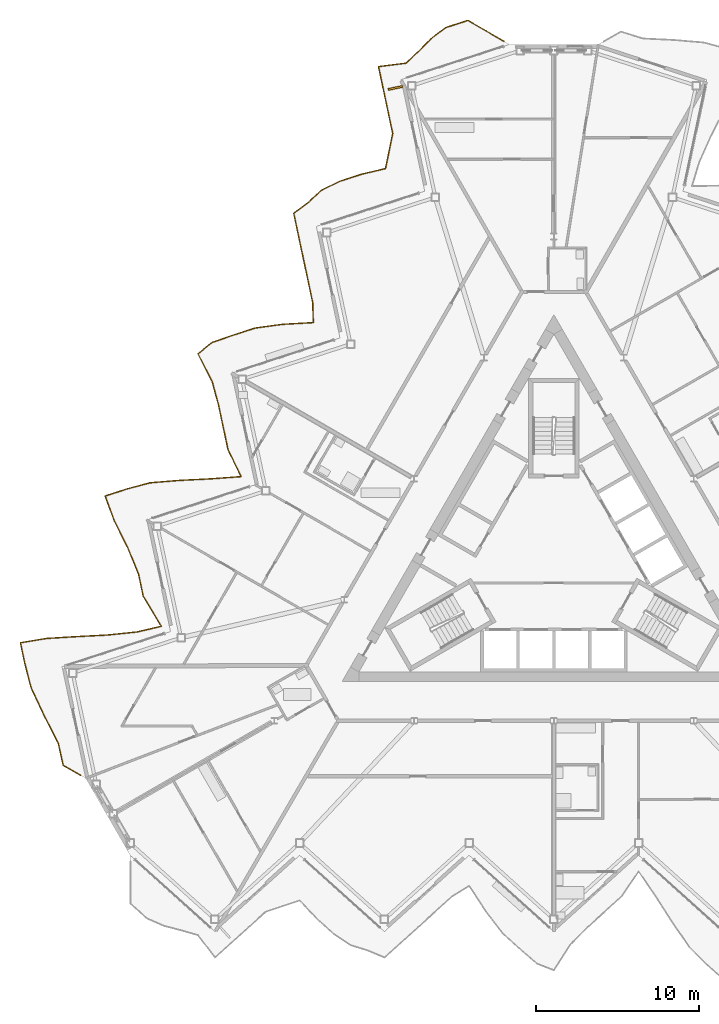
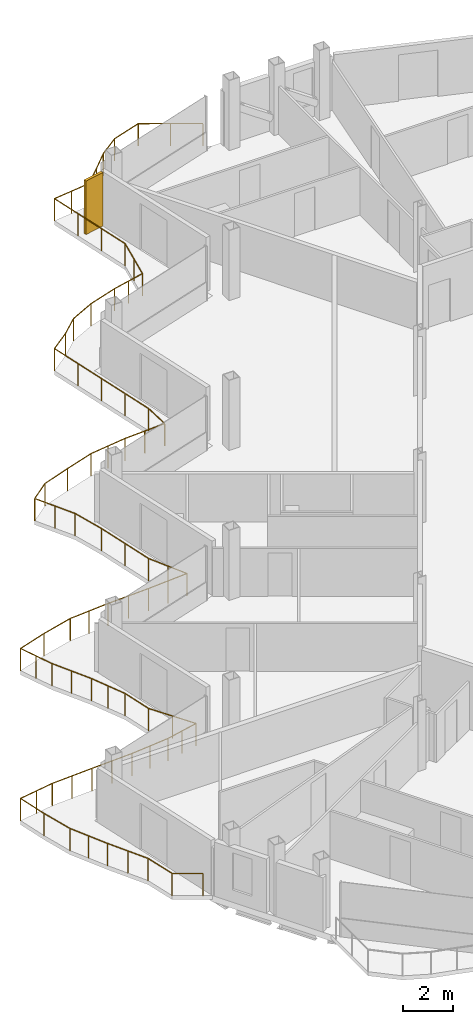
# One storey, part 23 of 26: 1 railing, 1 shading device.
"""IFC4 building model written with IfcOpenShell, lengths in metres."""

from ifc_helpers import new_model, si_unit, direction, frame, origin, origin_2d, place, context, subcontext, project, spatial, rectangle, circle, extrude, material, layer, layer_set, type_object, element, save


model = new_model("IFC4")

# Units and contexts
model_context = context("Model", 3, precision=1e-05, world=origin(), true_north=direction((0.0, 1.0)))
body_context = subcontext(model_context, "Body", "Model", "MODEL_VIEW")
ifc_project = project(units=[si_unit("LENGTHUNIT", "METRE"), si_unit("AREAUNIT", "SQUARE_METRE"), si_unit("VOLUMEUNIT", "CUBIC_METRE"), si_unit("PLANEANGLEUNIT", "RADIAN"), si_unit("MASSUNIT", "GRAM", prefix="KILO")], contexts=[model_context])

# Site, building, storey
site_placement = place(None, origin())
site = spatial("IfcSite", under=ifc_project, at=site_placement, CompositionType="ELEMENT")
building_placement = place(site_placement, origin())
building = spatial("IfcBuilding", under=site, at=building_placement, Name="Cormorant Prow Tower", CompositionType="ELEMENT")
storey_placement = place(building_placement, frame((0.0, 0.0, 367.800048828125)))
storey = spatial("IfcBuildingStorey", under=building, at=storey_placement, Name="L82", CompositionType="ELEMENT", Elevation=367.800048828125)

# Railing
ifc_material_1 = material(Name="Aluminium 6063-T6", Category="aluminium")
railing_type = type_object("IfcRailingType", Name="Balcony guard 1100", PredefinedType="GUARDRAIL", material=ifc_material_1)
railing_placement = place(storey_placement, frame((-3.0537109375, 31.785400390625, 0.0)))
element("IfcRailing", 1, at=railing_placement, inside=storey, type_object=railing_type, Name="Balcony guard WNW", PredefinedType="GUARDRAIL", context=body_context, shape_type="SweptSolid", body=[
    extrude(circle(Radius=0.02392578125, at=origin_2d()), frame((0.0, 0.0, 1.076171875), z_axis=(-0.866054294558, 0.499949956374, 0.0), x_axis=(-0.499949956374, -0.866054294558, 0.0)), (0.0, 0.0, 1.0), 2.570068359375),
    extrude(circle(Radius=0.02392578125, at=origin_2d()), frame((-2.225830078125, 1.284912109375, 1.076171875), z_axis=(-0.951080208938, -0.308944066403, 0.0), x_axis=(0.308944066403, -0.951080208938, 0.0)), (0.0, 0.0, 1.0), 1.3994140625),
    extrude(circle(Radius=0.02392578125, at=origin_2d()), frame((-3.556884765625, 0.8525390625, 1.076171875), z_axis=(-0.804801624168, -0.59354388695, 0.0), x_axis=(0.59354388695, -0.804801624168, 0.0)), (0.0, 0.0, 1.0), 1.134765625),
    extrude(circle(Radius=0.02392578125, at=origin_2d()), frame((-4.47021484375, 0.178955078125, 1.076171875), z_axis=(-0.702320726379, -0.711860658626, 0.0), x_axis=(0.711860658626, -0.702320726379, 0.0)), (0.0, 0.0, 1.0), 1.074951171875),
    extrude(circle(Radius=0.02392578125, at=origin_2d()), frame((-5.22509765625, -0.586181640625, 1.076171875), z_axis=(-0.720399511694, -0.693559329511, 0.0), x_axis=(0.693559329511, -0.720399511694, 0.0)), (0.0, 0.0, 1.0), 1.08251953125),
    extrude(circle(Radius=0.02392578125, at=origin_2d()), frame((-6.0048828125, -1.3369140625, 1.076171875), z_axis=(-0.99213308719, -0.125187608427, 0.0), x_axis=(0.125187608427, -0.99213308719, 0.0)), (0.0, 0.0, 1.0), 1.719970703125),
    extrude(circle(Radius=0.02392578125, at=origin_2d()), frame((-7.71142578125, -1.55224609375, 1.076171875), z_axis=(0.207944297815, -0.978140669335, 0.0), x_axis=(0.978140669335, 0.207944297815, 0.0)), (0.0, 0.0, 1.0), 1.3994140625),
    extrude(circle(Radius=0.02392578125, at=origin_2d()), frame((-7.42041015625, -2.921142578125, 1.076171875), z_axis=(0.20777738218, -0.978176139279, 0.0), x_axis=(0.978176139279, 0.20777738218, 0.0)), (0.0, 0.0, 1.0), 1.3994140625),
    extrude(circle(Radius=0.02392578125, at=origin_2d()), frame((-7.129638671875, -4.2900390625, 1.076171875), z_axis=(0.207944297815, -0.978140669335, 0.0), x_axis=(0.978140669335, 0.207944297815, 0.0)), (0.0, 0.0, 1.0), 1.3994140625),
    extrude(circle(Radius=0.02392578125, at=origin_2d()), frame((-6.838623046875, -5.658935546875, 1.076171875), z_axis=(-0.200182501189, -0.979758626508, 0.0), x_axis=(0.979758626508, -0.200182501189, 0.0)), (0.0, 0.0, 1.0), 1.096435546875),
    extrude(circle(Radius=0.02392578125, at=origin_2d()), frame((-7.05810546875, -6.733154296875, 1.076171875), z_axis=(-0.202841463281, -0.979211591421, 0.0), x_axis=(0.979211591421, -0.202841463281, 0.0)), (0.0, 0.0, 1.0), 1.09521484375),
    extrude(circle(Radius=0.02392578125, at=origin_2d()), frame((-7.2802734375, -7.8056640625, 1.076171875), z_axis=(-0.97323960179, -0.229792683756, 0.0), x_axis=(0.229792683756, -0.97323960179, 0.0)), (0.0, 0.0, 1.0), 1.51708984375),
    extrude(circle(Radius=0.02392578125, at=origin_2d()), frame((-8.7568359375, -8.154296875, 1.076171875), z_axis=(-0.951063554534, -0.308995332064, 0.0), x_axis=(0.308995332064, -0.951063554534, 0.0)), (0.0, 0.0, 1.0), 1.399169921875),
    extrude(circle(Radius=0.02392578125, at=origin_2d()), frame((-10.087646484375, -8.586669921875, 1.076171875), z_axis=(-0.89859250698, -0.438784122776, 0.0), x_axis=(0.438784122776, -0.89859250698, 0.0)), (0.0, 0.0, 1.0), 1.254150390625),
    extrude(circle(Radius=0.02392578125, at=origin_2d()), frame((-11.214599609375, -9.136962890625, 1.076171875), z_axis=(-0.733400296021, -0.679797032795, 0.0), x_axis=(0.679797032795, -0.733400296021, 0.0)), (0.0, 0.0, 1.0), 1.088623046875),
    extrude(circle(Radius=0.02392578125, at=origin_2d()), frame((-12.012939453125, -9.876953125, 1.076171875), z_axis=(-0.796454037439, -0.604699070817, 0.0), x_axis=(0.604699070817, -0.796454037439, 0.0)), (0.0, 0.0, 1.0), 1.1279296875),
    extrude(circle(Radius=0.02392578125, at=origin_2d()), frame((-12.911376953125, -10.55908203125, 1.076171875), z_axis=(0.20777738218, -0.978176139279, 0.0), x_axis=(0.978176139279, 0.20777738218, 0.0)), (0.0, 0.0, 1.0), 1.3994140625),
    extrude(circle(Radius=0.02392578125, at=origin_2d()), frame((-12.62060546875, -11.927978515625, 1.076171875), z_axis=(0.207944297815, -0.978140669335, 0.0), x_axis=(0.978140669335, 0.207944297815, 0.0)), (0.0, 0.0, 1.0), 1.3994140625),
    extrude(circle(Radius=0.02392578125, at=origin_2d()), frame((-12.32958984375, -13.296875, 1.076171875), z_axis=(0.207979786632, -0.978133124044, 0.0), x_axis=(0.978133124044, 0.207979786632, 0.0)), (0.0, 0.0, 1.0), 1.399169921875),
    extrude(circle(Radius=0.02392578125, at=origin_2d()), frame((-12.03857421875, -14.66552734375, 1.076171875), z_axis=(0.207944297815, -0.978140669335, 0.0), x_axis=(0.978140669335, 0.207944297815, 0.0)), (0.0, 0.0, 1.0), 1.3994140625),
    extrude(circle(Radius=0.02392578125, at=origin_2d()), frame((-11.74755859375, -16.034423828125, 1.076171875), z_axis=(0.029164247881, -0.999574632854, 0.0), x_axis=(0.999574632854, 0.029164247881, 0.0)), (0.0, 0.0, 1.0), 1.22216796875),
    extrude(circle(Radius=0.02392578125, at=origin_2d()), frame((-11.7119140625, -17.256103515625, 1.076171875), z_axis=(-0.998450849309, -0.055640825965, 0.0), x_axis=(0.055640825965, -0.998450849309, 0.0)), (0.0, 0.0, 1.0), 1.89990234375),
    extrude(circle(Radius=0.02392578125, at=origin_2d()), frame((-13.60888671875, -17.36181640625, 1.076171875), z_axis=(-0.990629196812, -0.136578894499, 0.0), x_axis=(0.136578894499, -0.990629196812, 0.0)), (0.0, 0.0, 1.0), 1.694580078125),
    extrude(circle(Radius=0.02392578125, at=origin_2d()), frame((-15.28759765625, -17.59326171875, 1.076171875), z_axis=(-0.951028941009, -0.309101849499, 0.0), x_axis=(0.309101849499, -0.951028941009, 0.0)), (0.0, 0.0, 1.0), 1.399658203125),
    extrude(circle(Radius=0.02392578125, at=origin_2d()), frame((-16.61865234375, -18.02587890625, 1.076171875), z_axis=(-0.945112539636, -0.326744988365, 0.0), x_axis=(0.326744988365, -0.945112539636, 0.0)), (0.0, 0.0, 1.0), 1.376220703125),
    extrude(circle(Radius=0.02392578125, at=origin_2d()), frame((-17.91943359375, -18.4755859375, 1.076171875), z_axis=(-0.780569996604, -0.625068380581, 0.0), x_axis=(0.625068380581, -0.780569996604, 0.0)), (0.0, 0.0, 1.0), 1.1162109375),
    extrude(circle(Radius=0.02392578125, at=origin_2d()), frame((-18.790771484375, -19.17333984375, 1.076171875), z_axis=(0.455957097579, -0.89000175571, 0.0), x_axis=(0.89000175571, 0.455957097579, 0.0)), (0.0, 0.0, 1.0), 1.916259765625),
    extrude(circle(Radius=0.02392578125, at=origin_2d()), frame((-17.9169921875, -20.87890625, 1.076171875), z_axis=(0.262445676489, -0.964946768942, 0.0), x_axis=(0.964946768942, 0.262445676489, 0.0)), (0.0, 0.0, 1.0), 1.476318359375),
    extrude(circle(Radius=0.02392578125, at=origin_2d()), frame((-17.529541015625, -22.303466796875, 1.076171875), z_axis=(0.207944297815, -0.978140669335, 0.0), x_axis=(0.978140669335, 0.207944297815, 0.0)), (0.0, 0.0, 1.0), 1.3994140625),
    extrude(circle(Radius=0.02392578125, at=origin_2d()), frame((-17.238525390625, -23.67236328125, 1.076171875), z_axis=(0.207944297815, -0.978140669335, 0.0), x_axis=(0.978140669335, 0.207944297815, 0.0)), (0.0, 0.0, 1.0), 1.3994140625),
    extrude(circle(Radius=0.02392578125, at=origin_2d()), frame((-16.947509765625, -25.041259765625, 1.076171875), z_axis=(0.434050139504, -0.900888714768, 0.0), x_axis=(0.900888714768, 0.434050139504, 0.0)), (0.0, 0.0, 1.0), 1.8466796875),
    extrude(circle(Radius=0.02392578125, at=origin_2d()), frame((-16.14599609375, -26.704833984375, 1.076171875), z_axis=(-0.997226846188, -0.074421886851, 0.0), x_axis=(0.074421886851, -0.997226846188, 0.0)), (0.0, 0.0, 1.0), 1.846923828125),
    extrude(circle(Radius=0.02392578125, at=origin_2d()), frame((-17.98779296875, -26.84228515625, 1.076171875), z_axis=(-0.998814010326, -0.048688528186, 0.0), x_axis=(0.048688528186, -0.998814010326, 0.0)), (0.0, 0.0, 1.0), 1.92041015625),
    extrude(circle(Radius=0.02392578125, at=origin_2d()), frame((-19.906005859375, -26.935791015625, 1.076171875), z_axis=(-0.996663580722, -0.081619279965, 0.0), x_axis=(0.081619279965, -0.996663580722, 0.0)), (0.0, 0.0, 1.0), 1.82763671875),
    extrude(circle(Radius=0.02392578125, at=origin_2d()), frame((-21.7275390625, -27.0849609375, 1.076171875), z_axis=(-0.966124737958, -0.25807555232, 0.0), x_axis=(0.25807555232, -0.966124737958, 0.0)), (0.0, 0.0, 1.0), 1.471923828125),
    extrude(circle(Radius=0.02392578125, at=origin_2d()), frame((-23.149658203125, -27.46484375, 1.076171875), z_axis=(-0.951063554534, -0.308995332064, 0.0), x_axis=(0.308995332064, -0.951063554534, 0.0)), (0.0, 0.0, 1.0), 1.399169921875),
    extrude(circle(Radius=0.02392578125, at=origin_2d()), frame((-24.48046875, -27.897216796875, 1.076171875), z_axis=(0.34360420379, -0.939114556983, 0.0), x_axis=(0.939114556983, 0.34360420379, 0.0)), (0.0, 0.0, 1.0), 1.621337890625),
    extrude(circle(Radius=0.02392578125, at=origin_2d()), frame((-23.92333984375, -29.419921875, 1.076171875), z_axis=(0.446124838976, -0.894970741448, 0.0), x_axis=(0.894970741448, 0.446124838976, 0.0)), (0.0, 0.0, 1.0), 1.88427734375),
    extrude(circle(Radius=0.02392578125, at=origin_2d()), frame((-23.082763671875, -31.106201171875, 1.076171875), z_axis=(0.379080263311, -0.925363795471, 0.0), x_axis=(0.925363795471, 0.379080263311, 0.0)), (0.0, 0.0, 1.0), 1.69970703125),
    extrude(circle(Radius=0.02392578125, at=origin_2d()), frame((-22.4384765625, -32.678955078125, 1.076171875), z_axis=(0.20777738218, -0.978176139279, 0.0), x_axis=(0.978176139279, 0.20777738218, 0.0)), (0.0, 0.0, 1.0), 1.3994140625),
    extrude(circle(Radius=0.02392578125, at=origin_2d()), frame((-22.147705078125, -34.0478515625, 1.076171875), z_axis=(0.517060283894, -0.855948983772, 0.0), x_axis=(0.855948983772, 0.517060283894, 0.0)), (0.0, 0.0, 1.0), 2.154052734375),
    extrude(circle(Radius=0.02392578125, at=origin_2d()), frame((-21.033935546875, -35.8916015625, 1.076171875), z_axis=(-0.974329089655, -0.225128463444, 0.0), x_axis=(0.225128463444, -0.974329089655, 0.0)), (0.0, 0.0, 1.0), 1.524658203125),
    extrude(circle(Radius=0.02392578125, at=origin_2d()), frame((-22.51953125, -36.23486328125, 1.076171875), z_axis=(-0.994481221063, -0.104914731817, 0.0), x_axis=(0.104914731817, -0.994481221063, 0.0)), (0.0, 0.0, 1.0), 1.7685546875),
    extrude(circle(Radius=0.02392578125, at=origin_2d()), frame((-24.2783203125, -36.42041015625, 1.076171875), z_axis=(-0.99861712254, -0.052572260454, 0.0), x_axis=(0.052572260454, -0.99861712254, 0.0)), (0.0, 0.0, 1.0), 1.90869140625),
    extrude(circle(Radius=0.02392578125, at=origin_2d()), frame((-26.184326171875, -36.520751953125, 1.076171875), z_axis=(-0.998205000127, -0.059889712979, 0.0), x_axis=(0.059889712979, -0.998205000127, 0.0)), (0.0, 0.0, 1.0), 1.887451171875),
    extrude(circle(Radius=0.02392578125, at=origin_2d()), frame((-28.068359375, -36.6337890625, 1.076171875), z_axis=(-0.986240118532, -0.165319171898, 0.0), x_axis=(0.165319171898, -0.986240118532, 0.0)), (0.0, 0.0, 1.0), 1.634765625),
    extrude(circle(Radius=0.02392578125, at=origin_2d()), frame((-29.6806640625, -36.904052734375, 1.076171875), z_axis=(0.207944297815, -0.978140669335, 0.0), x_axis=(0.978140669335, 0.207944297815, 0.0)), (0.0, 0.0, 1.0), 1.3994140625),
    extrude(circle(Radius=0.02392578125, at=origin_2d()), frame((-29.3896484375, -38.27294921875, 1.076171875), z_axis=(0.253128724865, -0.967432606773, 0.0), x_axis=(0.967432606773, 0.253128724865, 0.0)), (0.0, 0.0, 1.0), 1.462158203125),
    extrude(circle(Radius=0.02392578125, at=origin_2d()), frame((-29.01953125, -39.6875, 1.076171875), z_axis=(0.425868001193, -0.904785303572, 0.0), x_axis=(0.904785303572, 0.425868001193, 0.0)), (0.0, 0.0, 1.0), 1.822509765625),
    extrude(circle(Radius=0.02392578125, at=origin_2d()), frame((-28.243408203125, -41.33642578125, 1.076171875), z_axis=(0.457103792103, -0.889413359043, 0.0), x_axis=(0.889413359043, 0.457103792103, 0.0)), (0.0, 0.0, 1.0), 1.920166015625),
    extrude(circle(Radius=0.02392578125, at=origin_2d()), frame((-27.36572265625, -43.044189453125, 1.076171875), z_axis=(0.218685934883, -0.975795297121, 0.0), x_axis=(0.975795297121, 0.218685934883, 0.0)), (0.0, 0.0, 1.0), 1.413330078125),
    extrude(circle(Radius=0.02392578125, at=origin_2d()), frame((-27.056640625, -44.42333984375, 1.076171875), z_axis=(0.866005645448, -0.500034220881, 0.0), x_axis=(0.500034220881, 0.866005645448, 0.0)), (0.0, 0.0, 1.0), 1.22021484375),
    extrude(circle(Radius=0.02099609375, at=origin_2d()), origin(), (0.0, 0.0, 1.0), 1.052001953125),
    extrude(circle(Radius=0.02099609375, at=origin_2d()), frame((-1.11279296875, 0.642578125, 0.0)), (0.0, 0.0, 1.0), 1.052001953125),
    extrude(circle(Radius=0.02099609375, at=origin_2d()), frame((-2.225830078125, 1.284912109375, 0.0)), (0.0, 0.0, 1.0), 1.052001953125),
    extrude(circle(Radius=0.02099609375, at=origin_2d()), frame((-3.556884765625, 0.8525390625, 0.0)), (0.0, 0.0, 1.0), 1.052001953125),
    extrude(circle(Radius=0.02099609375, at=origin_2d()), frame((-4.47021484375, 0.178955078125, 0.0)), (0.0, 0.0, 1.0), 1.052001953125),
    extrude(circle(Radius=0.02099609375, at=origin_2d()), frame((-5.22509765625, -0.586181640625, 0.0)), (0.0, 0.0, 1.0), 1.052001953125),
    extrude(circle(Radius=0.02099609375, at=origin_2d()), frame((-6.0048828125, -1.3369140625, 0.0)), (0.0, 0.0, 1.0), 1.052001953125),
    extrude(circle(Radius=0.02099609375, at=origin_2d()), frame((-6.858154296875, -1.444580078125, 0.0)), (0.0, 0.0, 1.0), 1.052001953125),
    extrude(circle(Radius=0.02099609375, at=origin_2d()), frame((-7.71142578125, -1.55224609375, 0.0)), (0.0, 0.0, 1.0), 1.052001953125),
    extrude(circle(Radius=0.02099609375, at=origin_2d()), frame((-7.42041015625, -2.921142578125, 0.0)), (0.0, 0.0, 1.0), 1.052001953125),
    extrude(circle(Radius=0.02099609375, at=origin_2d()), frame((-7.129638671875, -4.2900390625, 0.0)), (0.0, 0.0, 1.0), 1.052001953125),
    extrude(circle(Radius=0.02099609375, at=origin_2d()), frame((-6.838623046875, -5.658935546875, 0.0)), (0.0, 0.0, 1.0), 1.052001953125),
    extrude(circle(Radius=0.02099609375, at=origin_2d()), frame((-7.05810546875, -6.733154296875, 0.0)), (0.0, 0.0, 1.0), 1.052001953125),
    extrude(circle(Radius=0.02099609375, at=origin_2d()), frame((-7.2802734375, -7.8056640625, 0.0)), (0.0, 0.0, 1.0), 1.052001953125),
    extrude(circle(Radius=0.02099609375, at=origin_2d()), frame((-8.0185546875, -7.97998046875, 0.0)), (0.0, 0.0, 1.0), 1.052001953125),
    extrude(circle(Radius=0.02099609375, at=origin_2d()), frame((-8.7568359375, -8.154296875, 0.0)), (0.0, 0.0, 1.0), 1.052001953125),
    extrude(circle(Radius=0.02099609375, at=origin_2d()), frame((-10.087646484375, -8.586669921875, 0.0)), (0.0, 0.0, 1.0), 1.052001953125),
    extrude(circle(Radius=0.02099609375, at=origin_2d()), frame((-11.214599609375, -9.136962890625, 0.0)), (0.0, 0.0, 1.0), 1.052001953125),
    extrude(circle(Radius=0.02099609375, at=origin_2d()), frame((-12.012939453125, -9.876953125, 0.0)), (0.0, 0.0, 1.0), 1.052001953125),
    extrude(circle(Radius=0.02099609375, at=origin_2d()), frame((-12.911376953125, -10.55908203125, 0.0)), (0.0, 0.0, 1.0), 1.052001953125),
    extrude(circle(Radius=0.02099609375, at=origin_2d()), frame((-12.62060546875, -11.927978515625, 0.0)), (0.0, 0.0, 1.0), 1.052001953125),
    extrude(circle(Radius=0.02099609375, at=origin_2d()), frame((-12.32958984375, -13.296875, 0.0)), (0.0, 0.0, 1.0), 1.052001953125),
    extrude(circle(Radius=0.02099609375, at=origin_2d()), frame((-12.03857421875, -14.66552734375, 0.0)), (0.0, 0.0, 1.0), 1.052001953125),
    extrude(circle(Radius=0.02099609375, at=origin_2d()), frame((-11.74755859375, -16.034423828125, 0.0)), (0.0, 0.0, 1.0), 1.052001953125),
    extrude(circle(Radius=0.02099609375, at=origin_2d()), frame((-11.7119140625, -17.256103515625, 0.0)), (0.0, 0.0, 1.0), 1.052001953125),
    extrude(circle(Radius=0.02099609375, at=origin_2d()), frame((-12.660400390625, -17.30908203125, 0.0)), (0.0, 0.0, 1.0), 1.052001953125),
    extrude(circle(Radius=0.02099609375, at=origin_2d()), frame((-13.60888671875, -17.36181640625, 0.0)), (0.0, 0.0, 1.0), 1.052001953125),
    extrude(circle(Radius=0.02099609375, at=origin_2d()), frame((-14.4482421875, -17.4775390625, 0.0)), (0.0, 0.0, 1.0), 1.052001953125),
    extrude(circle(Radius=0.02099609375, at=origin_2d()), frame((-15.28759765625, -17.59326171875, 0.0)), (0.0, 0.0, 1.0), 1.052001953125),
    extrude(circle(Radius=0.02099609375, at=origin_2d()), frame((-16.61865234375, -18.02587890625, 0.0)), (0.0, 0.0, 1.0), 1.052001953125),
    extrude(circle(Radius=0.02099609375, at=origin_2d()), frame((-17.91943359375, -18.4755859375, 0.0)), (0.0, 0.0, 1.0), 1.052001953125),
    extrude(circle(Radius=0.02099609375, at=origin_2d()), frame((-18.790771484375, -19.17333984375, 0.0)), (0.0, 0.0, 1.0), 1.052001953125),
    extrude(circle(Radius=0.02099609375, at=origin_2d()), frame((-18.35400390625, -20.026123046875, 0.0)), (0.0, 0.0, 1.0), 1.052001953125),
    extrude(circle(Radius=0.02099609375, at=origin_2d()), frame((-17.9169921875, -20.87890625, 0.0)), (0.0, 0.0, 1.0), 1.052001953125),
    extrude(circle(Radius=0.02099609375, at=origin_2d()), frame((-17.529541015625, -22.303466796875, 0.0)), (0.0, 0.0, 1.0), 1.052001953125),
    extrude(circle(Radius=0.02099609375, at=origin_2d()), frame((-17.238525390625, -23.67236328125, 0.0)), (0.0, 0.0, 1.0), 1.052001953125),
    extrude(circle(Radius=0.02099609375, at=origin_2d()), frame((-16.947509765625, -25.041259765625, 0.0)), (0.0, 0.0, 1.0), 1.052001953125),
    extrude(circle(Radius=0.02099609375, at=origin_2d()), frame((-16.546875, -25.873046875, 0.0)), (0.0, 0.0, 1.0), 1.052001953125),
    extrude(circle(Radius=0.02099609375, at=origin_2d()), frame((-16.14599609375, -26.704833984375, 0.0)), (0.0, 0.0, 1.0), 1.052001953125),
    extrude(circle(Radius=0.02099609375, at=origin_2d()), frame((-17.06689453125, -26.7734375, 0.0)), (0.0, 0.0, 1.0), 1.052001953125),
    extrude(circle(Radius=0.02099609375, at=origin_2d()), frame((-17.98779296875, -26.84228515625, 0.0)), (0.0, 0.0, 1.0), 1.052001953125),
    extrude(circle(Radius=0.02099609375, at=origin_2d()), frame((-18.94677734375, -26.88916015625, 0.0)), (0.0, 0.0, 1.0), 1.052001953125),
    extrude(circle(Radius=0.02099609375, at=origin_2d()), frame((-19.906005859375, -26.935791015625, 0.0)), (0.0, 0.0, 1.0), 1.052001953125),
    extrude(circle(Radius=0.02099609375, at=origin_2d()), frame((-20.81689453125, -27.01025390625, 0.0)), (0.0, 0.0, 1.0), 1.052001953125),
    extrude(circle(Radius=0.02099609375, at=origin_2d()), frame((-21.7275390625, -27.0849609375, 0.0)), (0.0, 0.0, 1.0), 1.052001953125),
    extrude(circle(Radius=0.02099609375, at=origin_2d()), frame((-23.149658203125, -27.46484375, 0.0)), (0.0, 0.0, 1.0), 1.052001953125),
    extrude(circle(Radius=0.02099609375, at=origin_2d()), frame((-24.48046875, -27.897216796875, 0.0)), (0.0, 0.0, 1.0), 1.052001953125),
    extrude(circle(Radius=0.02099609375, at=origin_2d()), frame((-24.201904296875, -28.65869140625, 0.0)), (0.0, 0.0, 1.0), 1.052001953125),
    extrude(circle(Radius=0.02099609375, at=origin_2d()), frame((-23.92333984375, -29.419921875, 0.0)), (0.0, 0.0, 1.0), 1.052001953125),
    extrude(circle(Radius=0.02099609375, at=origin_2d()), frame((-23.5029296875, -30.26318359375, 0.0)), (0.0, 0.0, 1.0), 1.052001953125),
    extrude(circle(Radius=0.02099609375, at=origin_2d()), frame((-23.082763671875, -31.106201171875, 0.0)), (0.0, 0.0, 1.0), 1.052001953125),
    extrude(circle(Radius=0.02099609375, at=origin_2d()), frame((-22.7607421875, -31.892578125, 0.0)), (0.0, 0.0, 1.0), 1.052001953125),
    extrude(circle(Radius=0.02099609375, at=origin_2d()), frame((-22.4384765625, -32.678955078125, 0.0)), (0.0, 0.0, 1.0), 1.052001953125),
    extrude(circle(Radius=0.02099609375, at=origin_2d()), frame((-22.147705078125, -34.0478515625, 0.0)), (0.0, 0.0, 1.0), 1.052001953125),
    extrude(circle(Radius=0.02099609375, at=origin_2d()), frame((-21.5908203125, -34.9697265625, 0.0)), (0.0, 0.0, 1.0), 1.052001953125),
    extrude(circle(Radius=0.02099609375, at=origin_2d()), frame((-21.033935546875, -35.8916015625, 0.0)), (0.0, 0.0, 1.0), 1.052001953125),
    extrude(circle(Radius=0.02099609375, at=origin_2d()), frame((-21.77685546875, -36.063232421875, 0.0)), (0.0, 0.0, 1.0), 1.052001953125),
    extrude(circle(Radius=0.02099609375, at=origin_2d()), frame((-22.51953125, -36.23486328125, 0.0)), (0.0, 0.0, 1.0), 1.052001953125),
    extrude(circle(Radius=0.02099609375, at=origin_2d()), frame((-23.39892578125, -36.32763671875, 0.0)), (0.0, 0.0, 1.0), 1.052001953125),
    extrude(circle(Radius=0.02099609375, at=origin_2d()), frame((-24.2783203125, -36.42041015625, 0.0)), (0.0, 0.0, 1.0), 1.052001953125),
    extrude(circle(Radius=0.02099609375, at=origin_2d()), frame((-25.2314453125, -36.470703125, 0.0)), (0.0, 0.0, 1.0), 1.052001953125),
    extrude(circle(Radius=0.02099609375, at=origin_2d()), frame((-26.184326171875, -36.520751953125, 0.0)), (0.0, 0.0, 1.0), 1.052001953125),
    extrude(circle(Radius=0.02099609375, at=origin_2d()), frame((-27.12646484375, -36.5771484375, 0.0)), (0.0, 0.0, 1.0), 1.052001953125),
    extrude(circle(Radius=0.02099609375, at=origin_2d()), frame((-28.068359375, -36.6337890625, 0.0)), (0.0, 0.0, 1.0), 1.052001953125),
    extrude(circle(Radius=0.02099609375, at=origin_2d()), frame((-28.87451171875, -36.76904296875, 0.0)), (0.0, 0.0, 1.0), 1.052001953125),
    extrude(circle(Radius=0.02099609375, at=origin_2d()), frame((-29.6806640625, -36.904052734375, 0.0)), (0.0, 0.0, 1.0), 1.052001953125),
    extrude(circle(Radius=0.02099609375, at=origin_2d()), frame((-29.3896484375, -38.27294921875, 0.0)), (0.0, 0.0, 1.0), 1.052001953125),
    extrude(circle(Radius=0.02099609375, at=origin_2d()), frame((-29.01953125, -39.6875, 0.0)), (0.0, 0.0, 1.0), 1.052001953125),
    extrude(circle(Radius=0.02099609375, at=origin_2d()), frame((-28.63134765625, -40.511962890625, 0.0)), (0.0, 0.0, 1.0), 1.052001953125),
    extrude(circle(Radius=0.02099609375, at=origin_2d()), frame((-28.243408203125, -41.33642578125, 0.0)), (0.0, 0.0, 1.0), 1.052001953125),
    extrude(circle(Radius=0.02099609375, at=origin_2d()), frame((-27.8046875, -42.1904296875, 0.0)), (0.0, 0.0, 1.0), 1.052001953125),
    extrude(circle(Radius=0.02099609375, at=origin_2d()), frame((-27.36572265625, -43.044189453125, 0.0)), (0.0, 0.0, 1.0), 1.052001953125),
    extrude(circle(Radius=0.02099609375, at=origin_2d()), frame((-27.056640625, -44.42333984375, 0.0)), (0.0, 0.0, 1.0), 1.052001953125),
    extrude(circle(Radius=0.02099609375, at=origin_2d()), frame((-26.0, -45.033447265625, 0.0)), (0.0, 0.0, 1.0), 1.052001953125),
])

# Shading device
ifc_material_2 = material(Name="Terracotta", Category="masonry")
ifc_layer = layer(ifc_material_2, 0.1201171875)
ifc_layer_set = layer_set([ifc_layer], Name="Terracotta")
shading_device_type = type_object("IfcShadingDeviceType", Name="Terracotta baguette fin 120x900x2600", PredefinedType="USERDEFINED", material=ifc_layer_set)
shading_device_placement = place(storey_placement, frame((-9.731201171875, 28.9228515625, 0.0), z_axis=(0.0, 0.0, 1.0), x_axis=(0.207911756835, -0.978147586701, 0.0)))
element("IfcShadingDevice", 2, at=shading_device_placement, inside=storey, type_object=shading_device_type, Name="Baguette fin WNW01", ObjectType="BAGUETTE", PredefinedType="USERDEFINED", context=body_context, shape_type="SweptSolid", body=[
    extrude(rectangle(XDim=0.1201171875, YDim=0.89990234375, at=origin_2d()), origin(), (0.0, 0.0, 1.0), 2.60009765625),
])

save(model, "model.ifc")
